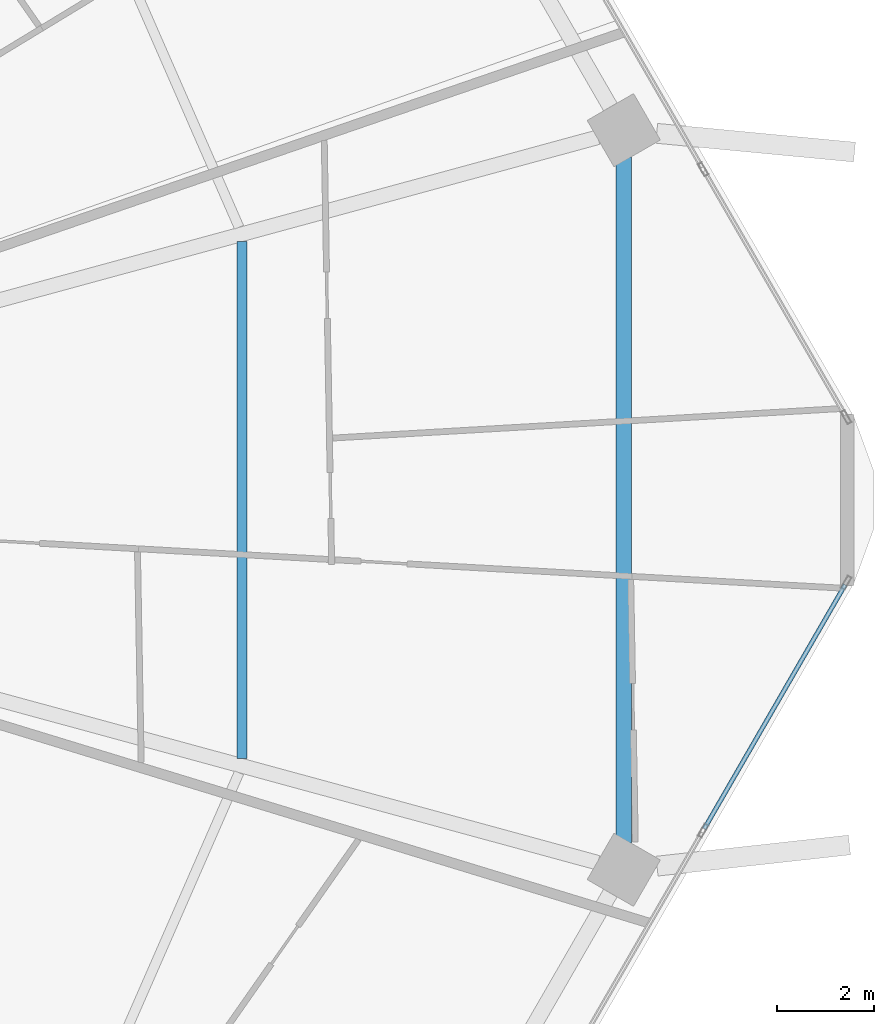
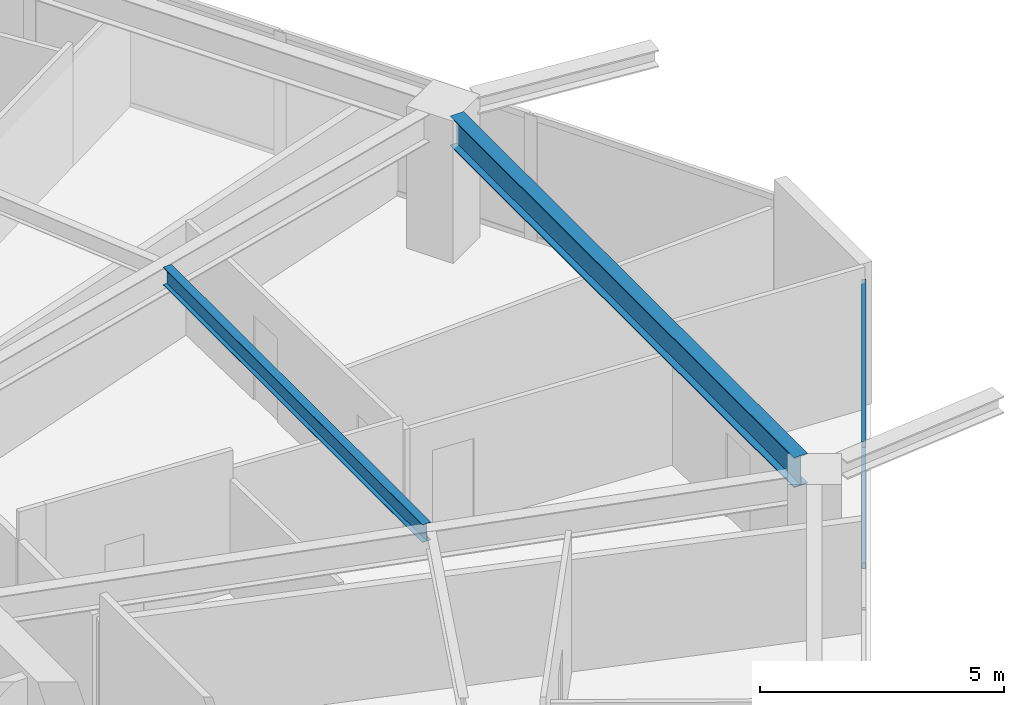
# One storey, part 12 of 33: 2 beams, 2 members, 1 element without a shape of its own.
"""IFC4 building model written with IfcOpenShell, lengths in metres."""

from ifc_helpers import new_model, si_unit, direction, frame, origin, origin_2d, place, context, subcontext, project, spatial, hollow_rectangle, i_section, extrude, material, material_profile, profile_set, type_object, element, aggregate, save


model = new_model("IFC4")

# Units and contexts
model_context = context("Model", 3, precision=1e-05, world=origin(), true_north=direction((0.0, 1.0)))
body_context = subcontext(model_context, "Body", "Model", "MODEL_VIEW")
ifc_project = project(units=[si_unit("LENGTHUNIT", "METRE"), si_unit("AREAUNIT", "SQUARE_METRE"), si_unit("VOLUMEUNIT", "CUBIC_METRE"), si_unit("PLANEANGLEUNIT", "RADIAN"), si_unit("MASSUNIT", "GRAM", prefix="KILO")], contexts=[model_context])

# Site, building, storey
site_placement = place(None, origin())
site = spatial("IfcSite", under=ifc_project, at=site_placement, CompositionType="ELEMENT")
building_placement = place(site_placement, origin())
building = spatial("IfcBuilding", under=site, at=building_placement, Name="Zuhravey Tower", CompositionType="ELEMENT")
storey_placement = place(building_placement, frame((0.0, 0.0, 103.800048828125)))
storey = spatial("IfcBuildingStorey", under=building, at=storey_placement, Name="L25", CompositionType="ELEMENT", Elevation=103.800048828125)

# Curtain wall, members
ifc_material_1 = material(Name="Thermally broken anodised aluminium", Category="aluminium")
curtain_wall_type = type_object("IfcCurtainWallType", Name="Zone 1-2 Residential Curtain Wall CW3", PredefinedType="NOTDEFINED", material=ifc_material_1)
curtain_wall_placement = place(storey_placement, origin())
curtain_wall = element("IfcCurtainWall", 1, at=curtain_wall_placement, inside=storey, type_object=curtain_wall_type, Name="L25 CW3 CW-L25-F6-1", PredefinedType="NOTDEFINED")
ifc_material_2 = material(Name="Anodised aluminium", Category="aluminium")
ifc_material_profile_1 = material_profile(ifc_material_2, hollow_rectangle(XDim=0.090087890625, YDim=0.14990234375, WallThickness=0.0048828125, at=origin_2d()), Name="ALU-RHS-90x150x5")
ifc_profile_set_1 = profile_set([ifc_material_profile_1], Name="Anodised aluminium")
member_type = type_object("IfcMemberType", Name="Curtain-Wall Transom 90x150", PredefinedType="USERDEFINED", material=ifc_profile_set_1)
member_1_placement = place(storey_placement, frame((68.43359375, 30.259521484375, 0.044921875), z_axis=(-0.500024450573, -0.866011286779, 0.0), x_axis=(0.866011286779, -0.500024450573, 0.0)))
member_1 = element("IfcMember", 2, at=member_1_placement, type_object=member_type, Name="CW3 transom 1.1", ObjectType="TRANSOM", PredefinedType="USERDEFINED", context=body_context, shape_type="SweptSolid", body=[
    extrude(hollow_rectangle(XDim=0.090087890625, YDim=0.14990234375, WallThickness=0.0048828125, at=origin_2d()), origin(), (0.0, 0.0, 1.0), 5.784912109375),
])
member_2_placement = place(storey_placement, frame((68.43359375, 30.259521484375, 3.076904296875), z_axis=(-0.500024450573, -0.866011286779, 0.0), x_axis=(0.866011286779, -0.500024450573, 0.0)))
member_2 = element("IfcMember", 3, at=member_2_placement, type_object=member_type, Name="CW3 transom 1.2", ObjectType="TRANSOM", PredefinedType="USERDEFINED", context=body_context, shape_type="SweptSolid", body=[
    extrude(hollow_rectangle(XDim=0.090087890625, YDim=0.14990234375, WallThickness=0.0048828125, at=origin_2d()), origin(), (0.0, 0.0, 1.0), 5.784912109375),
])
aggregate(curtain_wall, [member_1, member_2])

# Beams
ifc_material_3 = material(Name="Steel SM355", Category="steel")
ifc_material_profile_2 = material_profile(ifc_material_3, i_section(OverallWidth=0.320068359375, OverallDepth=0.75, WebThickness=0.013916015625, FlangeThickness=0.02490234375, at=origin_2d()), Name="H-750x320x14x25")
ifc_profile_set_2 = profile_set([ifc_material_profile_2], Name="Steel SM355")
beam_type_1 = type_object("IfcBeamType", Name="Perimeter Ring Beam H750x320", PredefinedType="BEAM", material=ifc_profile_set_2)
beam_1_placement = place(storey_placement, frame((63.88916015625, 24.96142578125, 3.175048828125), z_axis=(0.0, 1.0, 0.0), x_axis=(-1.0, 0.0, 0.0)))
element("IfcBeam", 4, at=beam_1_placement, inside=storey, type_object=beam_type_1, Name="L25 PB1 BM-L25-PB-12", PredefinedType="BEAM", context=body_context, shape_type="SweptSolid", body=[
    extrude(i_section(OverallWidth=0.320068359375, OverallDepth=0.75, WebThickness=0.013916015625, FlangeThickness=0.02490234375, at=origin_2d()), origin(), (0.0, 0.0, 1.0), 14.0771484375),
])
ifc_material_profile_3 = material_profile(ifc_material_3, i_section(OverallWidth=0.199951171875, OverallDepth=0.449951171875, WebThickness=0.009033203125, FlangeThickness=0.013916015625, at=origin_2d()), Name="H-450x200x9x14")
ifc_profile_set_3 = profile_set([ifc_material_profile_3], Name="Steel SM355")
beam_type_2 = type_object("IfcBeamType", Name="Secondary Floor Joist H450x200", PredefinedType="JOIST", material=ifc_profile_set_3)
beam_2_placement = place(storey_placement, frame((56.052490234375, 26.695556640625, 3.324951171875), z_axis=(0.0, 1.0, 0.0), x_axis=(-1.0, 0.0, 0.0)))
element("IfcBeam", 5, at=beam_2_placement, inside=storey, type_object=beam_type_2, Name="L25 SJ1 BM-L25-SJ-12-1", PredefinedType="JOIST", context=body_context, shape_type="SweptSolid", body=[
    extrude(i_section(OverallWidth=0.199951171875, OverallDepth=0.449951171875, WebThickness=0.009033203125, FlangeThickness=0.013916015625, at=origin_2d()), origin(), (0.0, 0.0, 1.0), 10.60888671875),
])

save(model, "model.ifc")
